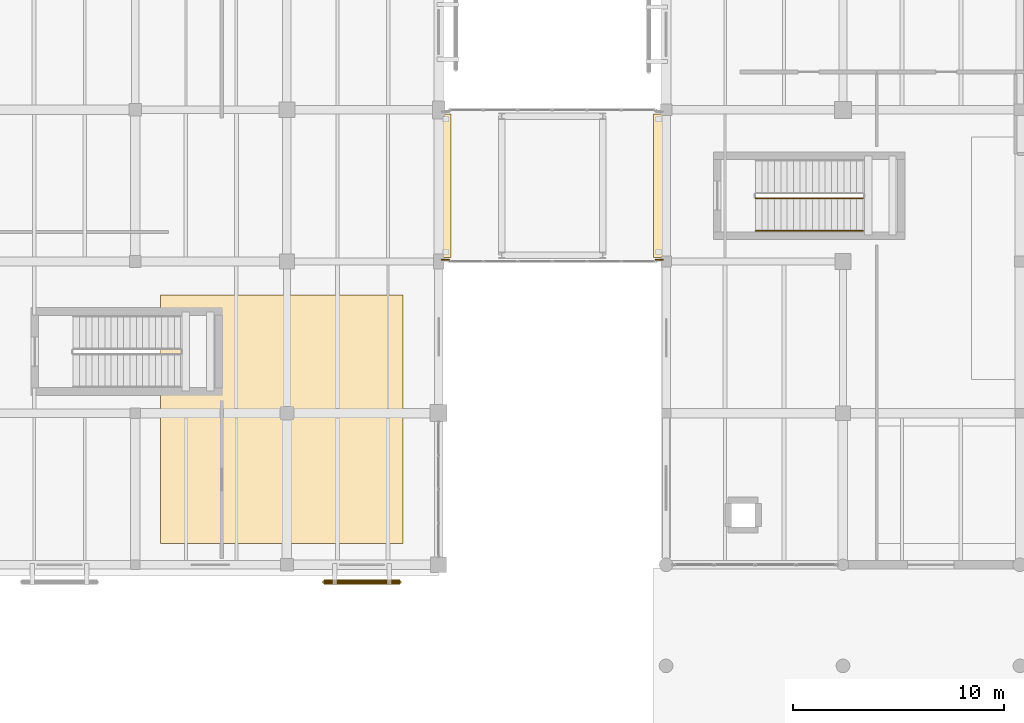
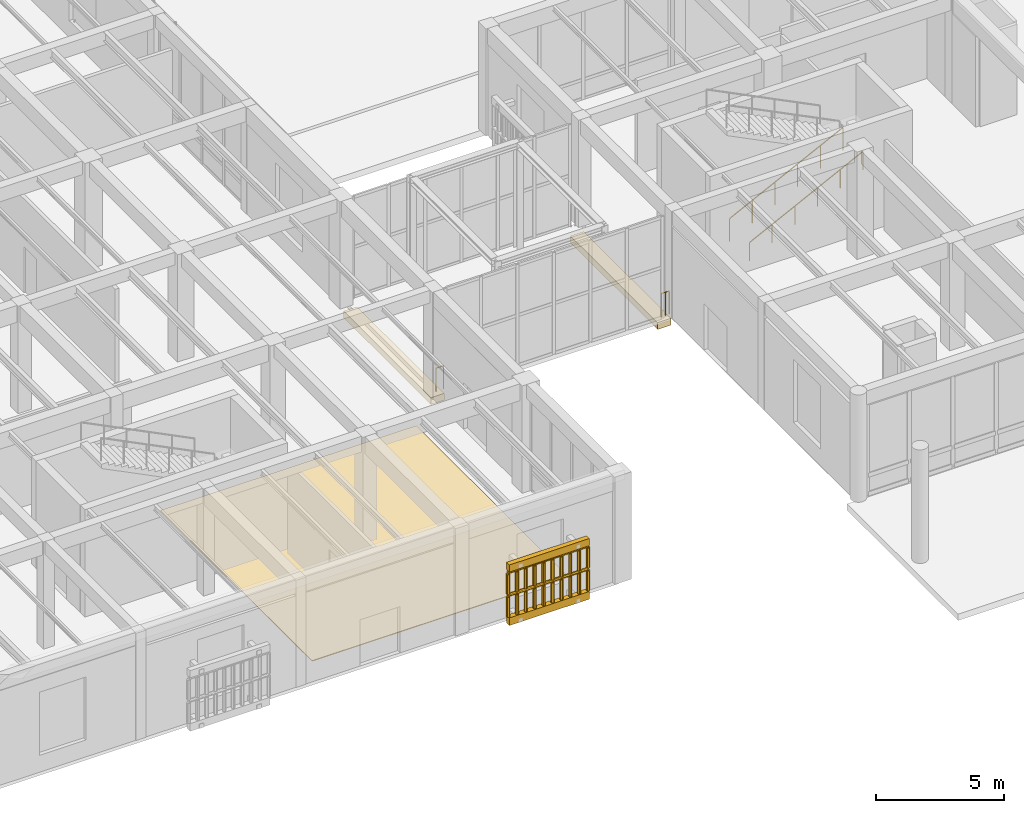
# One storey, part 144 of 169: 6 railings, 5 coverings.
"""IFC4 building model written with IfcOpenShell, lengths in metres."""

from ifc_helpers import new_model, si_unit, direction, frame, origin, origin_2d, place, context, subcontext, project, spatial, polyline, circle, outline, extrude, material, layer, layer_set, type_object, element, save


model = new_model("IFC4")

# Units and contexts
model_context = context("Model", 3, precision=1e-05, world=origin(), true_north=direction((0.0, 1.0)))
body_context = subcontext(model_context, "Body", "Model", "MODEL_VIEW")
ifc_project = project(units=[si_unit("LENGTHUNIT", "METRE"), si_unit("AREAUNIT", "SQUARE_METRE"), si_unit("VOLUMEUNIT", "CUBIC_METRE"), si_unit("PLANEANGLEUNIT", "RADIAN"), si_unit("MASSUNIT", "GRAM", prefix="KILO")], contexts=[model_context])

# Site, building, storey
site_placement = place(None, origin())
site = spatial("IfcSite", under=ifc_project, at=site_placement, CompositionType="ELEMENT")
building_placement = place(site_placement, origin())
building = spatial("IfcBuilding", under=site, at=building_placement, Name="Mazaris Harbour Polytechnic", CompositionType="ELEMENT")
storey_placement = place(building_placement, origin())
storey = spatial("IfcBuildingStorey", under=building, at=storey_placement, Name="L00", CompositionType="ELEMENT", Elevation=0.0)

# Coverings
ifc_material_1 = material(Name="Concrete C40/50", Category="concrete")
ifc_layer_1 = layer(ifc_material_1, 0.320068359375, Name="Concrete C40/50")
ifc_layer_set_1 = layer_set([ifc_layer_1], Name="Concrete C40/50")
covering_type_1 = type_object("IfcCoveringType", Name="Bridge Bearing Corbel 600 Exterior", PredefinedType="CLADDING", material=ifc_layer_set_1)
covering_1_placement = place(storey_placement, frame((0.0, 0.0, -0.64990234375)))
element("IfcCovering", 1, at=covering_1_placement, inside=storey, type_object=covering_type_1, Name="PB-W1 L00 600mm Bridge Bearing Seat Corbel W", PredefinedType="CLADDING", context=body_context, shape_type="SweptSolid", body=[
    extrude(outline(polyline([(43.199951171875, 21.800048828125), (43.800048828125, 21.800048828125), (43.800048828125, 28.60009765625), (43.199951171875, 28.60009765625), (43.199951171875, 21.800048828125)])), origin(), (0.0, 0.0, 1.0), 0.31982421875),
])
covering_2_placement = place(storey_placement, frame((0.0, 0.0, -0.64990234375)))
element("IfcCovering", 2, at=covering_2_placement, inside=storey, type_object=covering_type_1, Name="PB-W1 L00 600mm Bridge Bearing Seat Corbel E", PredefinedType="CLADDING", context=body_context, shape_type="SweptSolid", body=[
    extrude(outline(polyline([(53.39990234375, 21.800048828125), (54.0, 21.800048828125), (54.0, 28.60009765625), (53.39990234375, 28.60009765625), (53.39990234375, 21.800048828125)])), origin(), (0.0, 0.0, 1.0), 0.31982421875),
])
ifc_material_2 = material(Name="Honed Stone Terrazzo", Category="masonry")
ifc_layer_2 = layer(ifc_material_2, 0.034912109375, Name="Honed Stone Terrazzo")
ifc_layer_set_2 = layer_set([ifc_layer_2], Name="Honed Stone Terrazzo")
covering_type_2 = type_object("IfcCoveringType", Name="Honed Stone Terrazzo Flooring 35", PredefinedType="FLOORING", material=ifc_layer_set_2)
covering_3_placement = place(storey_placement, origin())
element("IfcCovering", 3, at=covering_3_placement, inside=storey, type_object=covering_type_2, Name="Covering COV-FL-02", PredefinedType="FLOORING", context=body_context, shape_type="SweptSolid", body=[
    extrude(outline(polyline([(30.0, 8.199951171875), (41.5, 8.199951171875), (41.5, 20.0), (30.0, 20.0), (30.0, 8.199951171875)])), origin(), (0.0, 0.0, 1.0), 0.034912109375),
])

# Railings
ifc_material_3 = material(Name="Steel S355", Category="steel")
railing_type_1 = type_object("IfcRailingType", Name="Mezzanine Steel Guardrail 1100 Exterior", PredefinedType="GUARDRAIL", material=ifc_material_3)
railing_1_placement = place(storey_placement, frame((43.35009765625, 21.679931640625, 0.0)))
element("IfcRailing", 4, at=railing_1_placement, inside=storey, type_object=railing_type_1, Name="PB-W1 L00 Bridge End Guard W0", PredefinedType="GUARDRAIL", context=body_context, shape_type="SweptSolid", body=[
    extrude(circle(Radius=0.02392578125, at=origin_2d()), frame((0.0, 0.0, 1.09619140625), z_axis=(1.0, 0.0, 0.0), x_axis=(0.0, 1.0, 0.0)), (0.0, 0.0, 1.0), 0.349853515625),
    extrude(circle(Radius=0.02099609375, at=origin_2d()), origin(), (0.0, 0.0, 1.0), 1.072021484375),
    extrude(circle(Radius=0.02099609375, at=origin_2d()), frame((0.349853515625, 0.0, 0.0)), (0.0, 0.0, 1.0), 1.072021484375),
])
railing_2_placement = place(storey_placement, frame((53.5, 21.679931640625, 0.0)))
element("IfcRailing", 5, at=railing_2_placement, inside=storey, type_object=railing_type_1, Name="PB-W1 L00 Bridge End Guard E0", PredefinedType="GUARDRAIL", context=body_context, shape_type="SweptSolid", body=[
    extrude(circle(Radius=0.02392578125, at=origin_2d()), frame((0.0, 0.0, 1.09619140625), z_axis=(1.0, 0.0, 0.0), x_axis=(0.0, 1.0, 0.0)), (0.0, 0.0, 1.0), 0.35009765625),
    extrude(circle(Radius=0.02099609375, at=origin_2d()), origin(), (0.0, 0.0, 1.0), 1.072021484375),
    extrude(circle(Radius=0.02099609375, at=origin_2d()), frame((0.175048828125, 0.0, 0.0)), (0.0, 0.0, 1.0), 1.072021484375),
    extrude(circle(Radius=0.02099609375, at=origin_2d()), frame((0.35009765625, 0.0, 0.0)), (0.0, 0.0, 1.0), 1.072021484375),
])
ifc_material_4 = material(Name="Perforated Earth-Coloured Terracotta Block", Category="masonry")
railing_type_2 = type_object("IfcRailingType", Name="Perforated Earth-Block Claustra Lattice 1040", PredefinedType="BALUSTRADE", material=ifc_material_4)
for number, where, name in (
    (6, (41.362548828125, 6.3798828125, 0.52001953125), "V4 L00 Lower Perforated Terracotta Block Screen 137"),
    (7, (41.362548828125, 6.3798828125, 1.610107421875), "V4 L00 Upper Perforated Terracotta Block Screen 137"),
):
    element("IfcRailing", number, at=place(storey_placement, frame(where)), inside=storey, type_object=railing_type_2, Name=name, PredefinedType="BALUSTRADE", context=body_context, shape_type="SweptSolid", body=[
        extrude(circle(Radius=0.06982421875, at=origin_2d()), frame((0.0, 0.0, 1.02001953125), z_axis=(-1.0, 0.0, 0.0), x_axis=(0.0, -1.0, 0.0)), (0.0, 0.0, 1.0), 3.60009765625),
        extrude(circle(Radius=0.074951171875, at=origin_2d()), origin(), (0.0, 0.0, 1.0), 0.9501953125),
        extrude(circle(Radius=0.074951171875, at=origin_2d()), frame((-0.39990234375, 0.0, 0.0)), (0.0, 0.0, 1.0), 0.9501953125),
        extrude(circle(Radius=0.074951171875, at=origin_2d()), frame((-0.800048828125, 0.0, 0.0)), (0.0, 0.0, 1.0), 0.9501953125),
        extrude(circle(Radius=0.074951171875, at=origin_2d()), frame((-1.199951171875, 0.0, 0.0)), (0.0, 0.0, 1.0), 0.9501953125),
        extrude(circle(Radius=0.074951171875, at=origin_2d()), frame((-1.60009765625, 0.0, 0.0)), (0.0, 0.0, 1.0), 0.9501953125),
        extrude(circle(Radius=0.074951171875, at=origin_2d()), frame((-2.0, 0.0, 0.0)), (0.0, 0.0, 1.0), 0.9501953125),
        extrude(circle(Radius=0.074951171875, at=origin_2d()), frame((-2.400146484375, 0.0, 0.0)), (0.0, 0.0, 1.0), 0.9501953125),
        extrude(circle(Radius=0.074951171875, at=origin_2d()), frame((-2.800048828125, 0.0, 0.0)), (0.0, 0.0, 1.0), 0.9501953125),
        extrude(circle(Radius=0.074951171875, at=origin_2d()), frame((-3.2001953125, 0.0, 0.0)), (0.0, 0.0, 1.0), 0.9501953125),
        extrude(circle(Radius=0.074951171875, at=origin_2d()), frame((-3.60009765625, 0.0, 0.0)), (0.0, 0.0, 1.0), 0.9501953125),
    ])
ifc_material_5 = material(Name="Stainless Steel S355", Category="steel")
railing_type_3 = type_object("IfcRailingType", Name="Stair Wall Handrail 900", PredefinedType="HANDRAIL", material=ifc_material_5)
railing_3_placement = place(storey_placement, frame((58.25, 23.050048828125, 0.14990234375)))
element("IfcRailing", 8, at=railing_3_placement, inside=storey, type_object=railing_type_3, Name="L00 ST05 stair handrail 1", PredefinedType="HANDRAIL", context=body_context, shape_type="SweptSolid", body=[
    extrude(circle(Radius=0.02392578125, at=origin_2d()), frame((0.0, 0.0, 0.8759765625), z_axis=(0.894427191, 0.0, 0.4472135955), x_axis=(0.0, 1.0, 0.0)), (0.0, 0.0, 1.0), 5.7021484375),
    extrude(circle(Radius=0.02099609375, at=origin_2d()), origin(), (0.0, 0.0, 1.0), 0.851806640625),
    extrude(circle(Radius=0.02099609375, at=origin_2d()), frame((1.02001953125, 0.0, 0.510009765625)), (0.0, 0.0, 1.0), 0.851806640625),
    extrude(circle(Radius=0.02099609375, at=origin_2d()), frame((2.0400390625, 0.0, 1.02001953125)), (0.0, 0.0, 1.0), 0.851806640625),
    extrude(circle(Radius=0.02099609375, at=origin_2d()), frame((3.06005859375, 0.0, 1.530029296875)), (0.0, 0.0, 1.0), 0.851806640625),
    extrude(circle(Radius=0.02099609375, at=origin_2d()), frame((4.080078125, 0.0, 2.0400390625)), (0.0, 0.0, 1.0), 0.851806640625),
    extrude(circle(Radius=0.02099609375, at=origin_2d()), frame((5.10009765625, 0.0, 2.550048828125)), (0.0, 0.0, 1.0), 0.851806640625),
])
ifc_material_6 = material(Name="Steel S355", Category="steel")
railing_type_4 = type_object("IfcRailingType", Name="Stair Well Guardrail 1100", PredefinedType="GUARDRAIL", material=ifc_material_6)
railing_4_placement = place(storey_placement, frame((58.25, 24.60009765625, 0.14990234375)))
element("IfcRailing", 9, at=railing_4_placement, inside=storey, type_object=railing_type_4, Name="L00 ST05 stair guard 1", PredefinedType="GUARDRAIL", context=body_context, shape_type="SweptSolid", body=[
    extrude(circle(Radius=0.02392578125, at=origin_2d()), frame((0.0, 0.0, 1.076171875), z_axis=(0.894427191, 0.0, 0.4472135955), x_axis=(0.0, 1.0, 0.0)), (0.0, 0.0, 1.0), 5.7021484375),
    extrude(circle(Radius=0.02099609375, at=origin_2d()), origin(), (0.0, 0.0, 1.0), 1.052001953125),
    extrude(circle(Radius=0.02099609375, at=origin_2d()), frame((1.02001953125, 0.0, 0.510009765625)), (0.0, 0.0, 1.0), 1.052001953125),
    extrude(circle(Radius=0.02099609375, at=origin_2d()), frame((2.0400390625, 0.0, 1.02001953125)), (0.0, 0.0, 1.0), 1.052001953125),
    extrude(circle(Radius=0.02099609375, at=origin_2d()), frame((3.06005859375, 0.0, 1.530029296875)), (0.0, 0.0, 1.0), 1.052001953125),
    extrude(circle(Radius=0.02099609375, at=origin_2d()), frame((4.080078125, 0.0, 2.0400390625)), (0.0, 0.0, 1.0), 1.052001953125),
    extrude(circle(Radius=0.02099609375, at=origin_2d()), frame((5.10009765625, 0.0, 2.550048828125)), (0.0, 0.0, 1.0), 1.052001953125),
])

# Coverings
ifc_material_7 = material(Name="Perforated Earth-Coloured Terracotta Block", Category="masonry")
ifc_layer_3 = layer(ifc_material_7, 0.219970703125, Name="Perforated Earth-Coloured Terracotta Block")
ifc_layer_set_3 = layer_set([ifc_layer_3], Name="Perforated Earth-Coloured Terracotta Block")
covering_type_3 = type_object("IfcCoveringType", Name="Terracotta Screen Course Cladding 220", PredefinedType="CLADDING", material=ifc_layer_set_3)
covering_4_placement = place(storey_placement, frame((0.0, 0.0, 0.159912109375)))
element("IfcCovering", 10, at=covering_4_placement, inside=storey, type_object=covering_type_3, Name="V4 L00 Perforated Screen Sill Course 137", PredefinedType="CLADDING", context=body_context, shape_type="SweptSolid", body=[
    extrude(outline(polyline([(41.362548828125, 6.489990234375), (37.762451171875, 6.489990234375), (37.762451171875, 6.27001953125), (41.362548828125, 6.27001953125), (41.362548828125, 6.489990234375)])), origin(), (0.0, 0.0, 1.0), 0.360107421875),
])
covering_5_placement = place(storey_placement, frame((0.0, 0.0, 2.699951171875)))
element("IfcCovering", 11, at=covering_5_placement, inside=storey, type_object=covering_type_3, Name="V4 L00 Perforated Screen Lintel Course 137", PredefinedType="CLADDING", context=body_context, shape_type="SweptSolid", body=[
    extrude(outline(polyline([(41.362548828125, 6.489990234375), (37.762451171875, 6.489990234375), (37.762451171875, 6.27001953125), (41.362548828125, 6.27001953125), (41.362548828125, 6.489990234375)])), origin(), (0.0, 0.0, 1.0), 0.340087890625),
])

save(model, "model.ifc")
